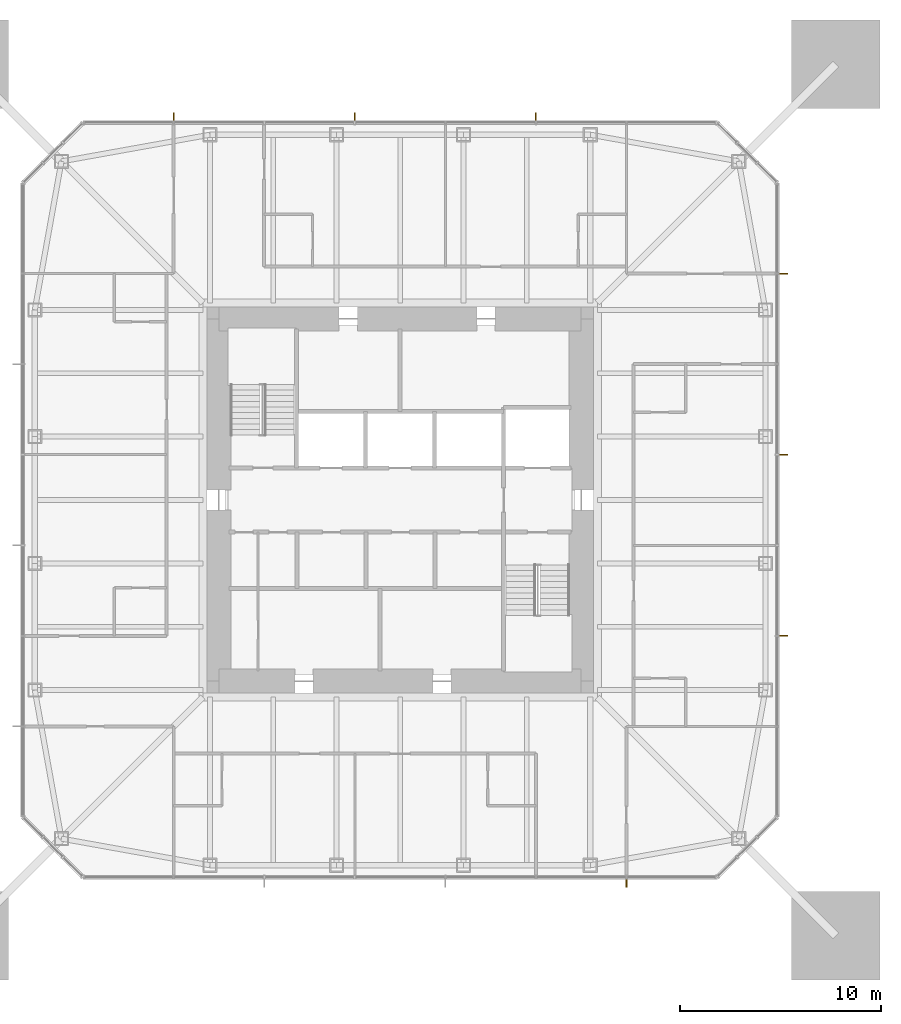
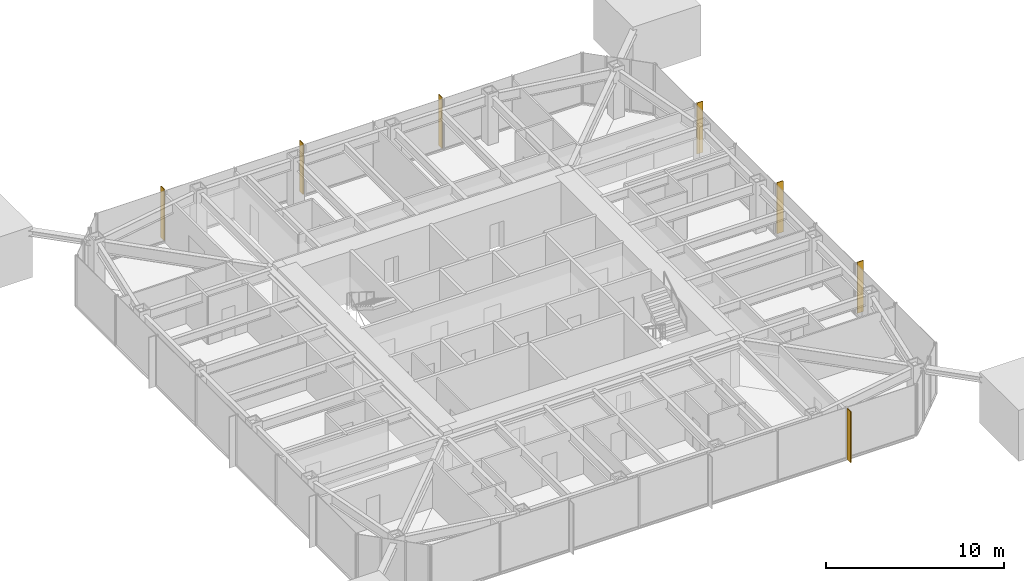
# One storey, part 11 of 11: 7 shading devices.
"""IFC4 building model written with IfcOpenShell, lengths in metres."""

from ifc_helpers import new_model, si_unit, direction, frame, origin, origin_2d, place, context, subcontext, project, spatial, rectangle, extrude, material, layer, layer_set, type_object, element, save


model = new_model("IFC4")

# Units and contexts
model_context = context("Model", 3, precision=1e-05, world=origin(), true_north=direction((0.0, 1.0)))
body_context = subcontext(model_context, "Body", "Model", "MODEL_VIEW")
ifc_project = project(units=[si_unit("LENGTHUNIT", "METRE"), si_unit("AREAUNIT", "SQUARE_METRE"), si_unit("VOLUMEUNIT", "CUBIC_METRE"), si_unit("PLANEANGLEUNIT", "RADIAN"), si_unit("MASSUNIT", "GRAM", prefix="KILO")], contexts=[model_context])

# Site, building, storey
site_placement = place(None, origin())
site = spatial("IfcSite", under=ifc_project, at=site_placement, CompositionType="ELEMENT")
building_placement = place(site_placement, origin())
building = spatial("IfcBuilding", under=site, at=building_placement, Name="Iwan Alto Co-Living Towers", CompositionType="ELEMENT")
storey_placement = place(building_placement, frame((0.0, 0.0, 195.0)))
storey = spatial("IfcBuildingStorey", under=building, at=storey_placement, Name="L53", CompositionType="ELEMENT", Elevation=195.0)

# Shading devices
ifc_material = material(Name="Aluminium 6063-T6 bronze anodised", Category="aluminium")
ifc_layer = layer(ifc_material, 0.050048828125)
ifc_layer_set = layer_set([ifc_layer], Name="BRONZE FIN 50X400")
shading_device_type = type_object("IfcShadingDeviceType", Name="BRONZE FIN 50X400", PredefinedType="USERDEFINED", material=ifc_layer_set)
for number, where, z_axis, x_axis, name in (
    (1, (11.25, -19.050048828125, 0.0), (0.0, 0.0, 1.0), (1.0, 0.0, 0.0), "Bronze fin L53"),
    (2, (19.050048828125, -6.75, 0.0), (0.0, 0.0, 1.0), (0.0, 1.0, 0.0), "Bronze fin L53"),
    (3, (19.050048828125, 2.25, 0.0), (0.0, 0.0, 1.0), (0.0, 1.0, 0.0), "Bronze fin L53"),
    (4, (19.050048828125, 11.25, 0.0), (0.0, 0.0, 1.0), (0.0, 1.0, 0.0), "Bronze fin L53"),
    (5, (6.75, 19.050048828125, 0.0), (0.0, 0.0, 1.0), (-1.0, 0.0, 0.0), "Bronze fin L53"),
    (6, (-2.25, 19.050048828125, 0.0), (0.0, 0.0, 1.0), (-1.0, 0.0, 0.0), "Bronze fin L53"),
    (7, (-11.25, 19.050048828125, 0.0), (0.0, 0.0, 1.0), (-1.0, 0.0, 0.0), "Bronze fin L53"),
):
    element("IfcShadingDevice", number, at=place(storey_placement, frame(where, z_axis=z_axis, x_axis=x_axis)), inside=storey, type_object=shading_device_type, Name=name, ObjectType="LOUVER", PredefinedType="USERDEFINED", context=body_context, shape_type="SweptSolid", body=[
        extrude(rectangle(XDim=0.050048828125, YDim=0.39990234375, at=origin_2d()), origin(), (0.0, 0.0, 1.0), 3.5),
    ])

save(model, "model.ifc")
